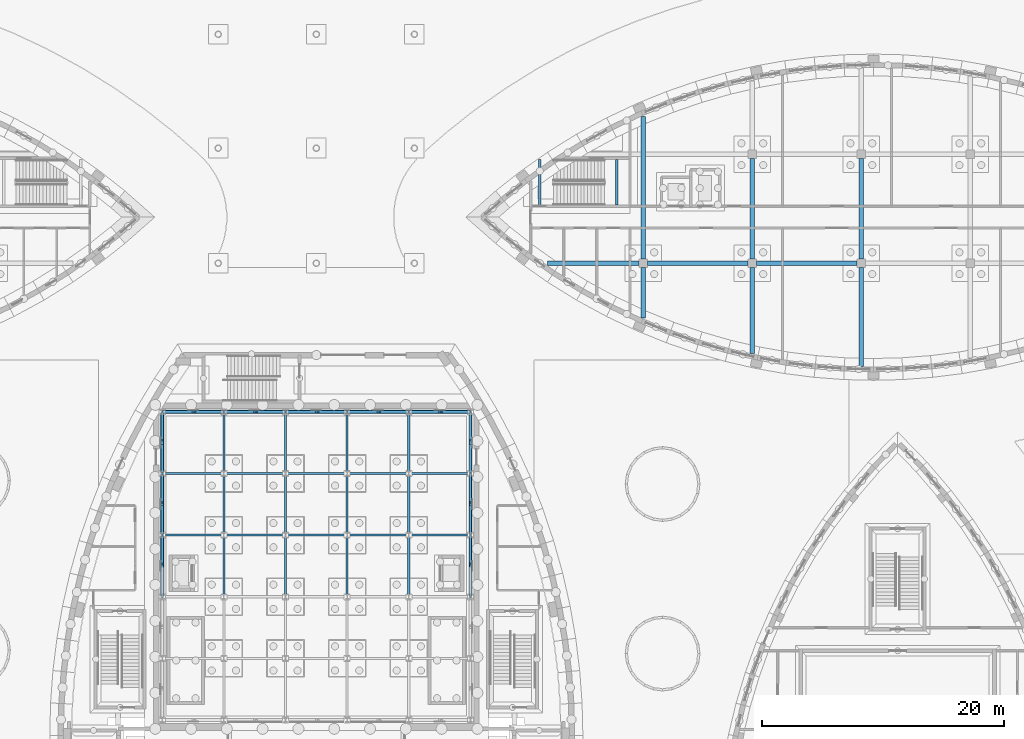
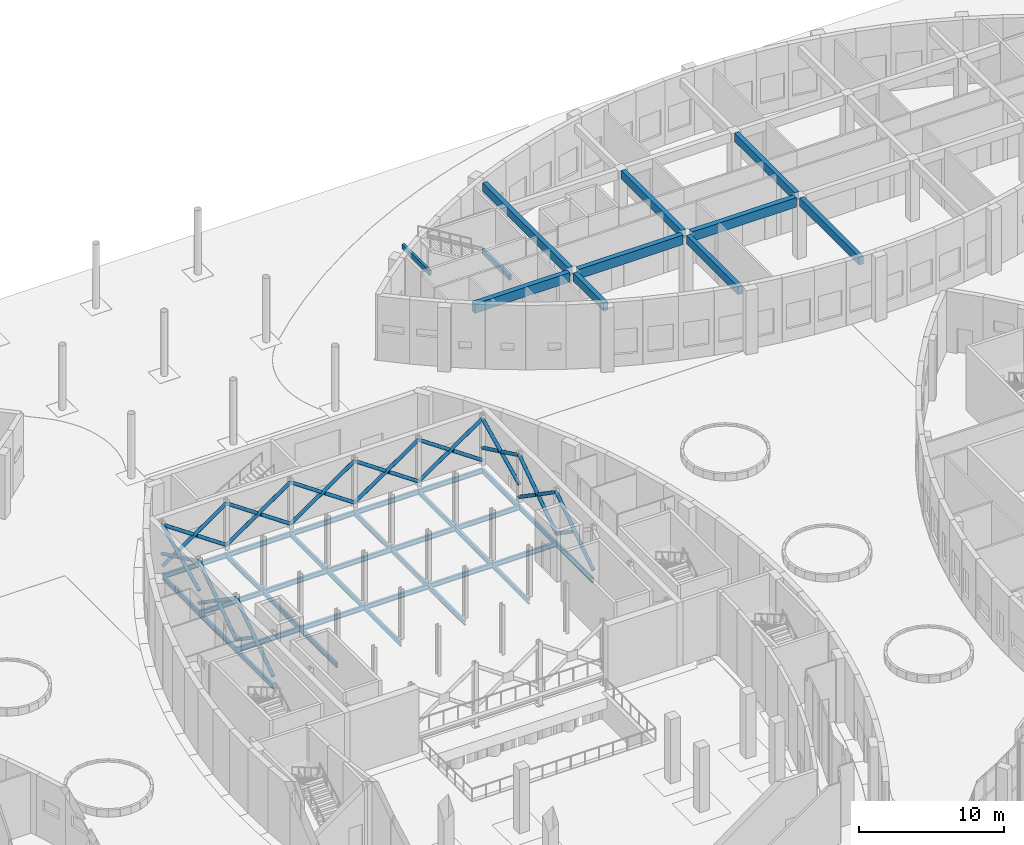
# One storey, part 26 of 82: 44 beams, 31 members.
"""IFC4 building model written with IfcOpenShell, lengths in metres."""

from ifc_helpers import new_model, si_unit, direction, frame, origin, origin_2d, place, context, subcontext, project, spatial, rectangle, hollow_circle, i_section, extrude, material, material_profile, profile_set, type_object, element, save


model = new_model("IFC4")

# Units and contexts
model_context = context("Model", 3, precision=1e-05, world=origin(), true_north=direction((0.0, 1.0)))
body_context = subcontext(model_context, "Body", "Model", "MODEL_VIEW")
ifc_project = project(units=[si_unit("LENGTHUNIT", "METRE"), si_unit("AREAUNIT", "SQUARE_METRE"), si_unit("VOLUMEUNIT", "CUBIC_METRE"), si_unit("PLANEANGLEUNIT", "RADIAN"), si_unit("MASSUNIT", "GRAM", prefix="KILO")], contexts=[model_context])

# Site, building, storey
site_placement = place(None, origin())
site = spatial("IfcSite", under=ifc_project, at=site_placement, CompositionType="ELEMENT")
building_placement = place(site_placement, origin())
building = spatial("IfcBuilding", under=site, at=building_placement, Name="Tide Square Theatres", CompositionType="ELEMENT")
storey_placement = place(building_placement, origin())
storey = spatial("IfcBuildingStorey", under=building, at=storey_placement, Name="L00", CompositionType="ELEMENT", Elevation=0.0)

# Beams
ifc_material_1 = material(Name="Concrete C35", Category="concrete")
ifc_material_profile_1 = material_profile(ifc_material_1, rectangle(XDim=0.199951171875, YDim=0.39990234375, at=origin_2d()))
ifc_profile_set_1 = profile_set([ifc_material_profile_1], Name="Concrete C35")
beam_type_1 = type_object("IfcBeamType", Name="RC beam 200 x 400", PredefinedType="BEAM", material=ifc_profile_set_1)
for number, where, z_axis, x_axis, name in (
    (1, (102.449951171875, 98.800048828125, 4.919921875), (0.0, 1.0, 0.0), (-1.0, 0.0, 0.0), "Rehearsal Block stair floor landing beam"),
    (2, (108.799560546875, 98.800048828125, 2.300048828125), (0.0, 1.0, 0.0), (-1.0, 0.0, 0.0), "Rehearsal Block stair landing beam"),
):
    element("IfcBeam", number, at=place(storey_placement, frame(where, z_axis=z_axis, x_axis=x_axis)), inside=storey, type_object=beam_type_1, Name=name, PredefinedType="BEAM", context=body_context, shape_type="SweptSolid", body=[
        extrude(rectangle(XDim=0.199951171875, YDim=0.39990234375, at=origin_2d()), origin(), (0.0, 0.0, 1.0), 3.75),
    ])
ifc_material_2 = material(Name="Concrete C35", Category="concrete")
ifc_material_profile_2 = material_profile(ifc_material_2, rectangle(XDim=0.35009765625, YDim=0.699951171875, at=origin_2d()))
ifc_profile_set_2 = profile_set([ifc_material_profile_2], Name="Concrete C35")
beam_type_2 = type_object("IfcBeamType", Name="RC beam 350 x 700", PredefinedType="BEAM", material=ifc_profile_set_2)
beam_1_placement = place(storey_placement, frame((111.0, 89.468994140625, 4.77001953125), z_axis=(0.0, 1.0, 0.0), x_axis=(-1.0, 0.0, 0.0)))
element("IfcBeam", 3, at=beam_1_placement, inside=storey, type_object=beam_type_2, Name="Rehearsal Block floor beam L01 12", PredefinedType="BEAM", context=body_context, shape_type="SweptSolid", body=[
    extrude(rectangle(XDim=0.35009765625, YDim=0.699951171875, at=origin_2d()), origin(), (0.0, 0.0, 1.0), 4.180908203125),
])
beam_2_placement = place(storey_placement, frame((111.0, 94.35009765625, 4.77001953125), z_axis=(0.0, 1.0, 0.0), x_axis=(-1.0, 0.0, 0.0)))
element("IfcBeam", 4, at=beam_2_placement, inside=storey, type_object=beam_type_2, Name="Rehearsal Block floor beam L01 13", PredefinedType="BEAM", context=body_context, shape_type="SweptSolid", body=[
    extrude(rectangle(XDim=0.35009765625, YDim=0.699951171875, at=origin_2d()), origin(), (0.0, 0.0, 1.0), 11.78076171875),
])
beam_3_placement = place(storey_placement, frame((120.0, 86.564208984375, 4.77001953125), z_axis=(0.0, 1.0, 0.0), x_axis=(-1.0, 0.0, 0.0)))
element("IfcBeam", 5, at=beam_3_placement, inside=storey, type_object=beam_type_2, Name="Rehearsal Block floor beam L01 14", PredefinedType="BEAM", context=body_context, shape_type="SweptSolid", body=[
    extrude(rectangle(XDim=0.35009765625, YDim=0.699951171875, at=origin_2d()), origin(), (0.0, 0.0, 1.0), 7.085693359375),
])
beam_4_placement = place(storey_placement, frame((120.0, 94.35009765625, 4.77001953125), z_axis=(0.0, 1.0, 0.0), x_axis=(-1.0, 0.0, 0.0)))
element("IfcBeam", 6, at=beam_4_placement, inside=storey, type_object=beam_type_2, Name="Rehearsal Block floor beam L01 15", PredefinedType="BEAM", context=body_context, shape_type="SweptSolid", body=[
    extrude(rectangle(XDim=0.35009765625, YDim=0.699951171875, at=origin_2d()), origin(), (0.0, 0.0, 1.0), 8.2998046875),
])
beam_5_placement = place(storey_placement, frame((129.0, 85.4765625, 4.77001953125), z_axis=(0.0, 1.0, 0.0), x_axis=(-1.0, 0.0, 0.0)))
element("IfcBeam", 7, at=beam_5_placement, inside=storey, type_object=beam_type_2, Name="Rehearsal Block floor beam L01 17", PredefinedType="BEAM", context=body_context, shape_type="SweptSolid", body=[
    extrude(rectangle(XDim=0.35009765625, YDim=0.699951171875, at=origin_2d()), origin(), (0.0, 0.0, 1.0), 8.17333984375),
])
beam_6_placement = place(storey_placement, frame((129.0, 94.35009765625, 4.77001953125), z_axis=(0.0, 1.0, 0.0), x_axis=(-1.0, 0.0, 0.0)))
element("IfcBeam", 8, at=beam_6_placement, inside=storey, type_object=beam_type_2, Name="Rehearsal Block floor beam L01 18", PredefinedType="BEAM", context=body_context, shape_type="SweptSolid", body=[
    extrude(rectangle(XDim=0.35009765625, YDim=0.699951171875, at=origin_2d()), origin(), (0.0, 0.0, 1.0), 8.2998046875),
])
ifc_material_3 = material(Name="Concrete C35", Category="concrete")
ifc_material_profile_3 = material_profile(ifc_material_3, rectangle(XDim=0.39990234375, YDim=0.800048828125, at=origin_2d()))
ifc_profile_set_3 = profile_set([ifc_material_profile_3], Name="Concrete C35")
beam_type_3 = type_object("IfcBeamType", Name="RC beam 400 x 800", PredefinedType="BEAM", material=ifc_profile_set_3)
beam_7_placement = place(storey_placement, frame((103.08837890625, 94.0, 4.719970703125), z_axis=(1.0, 0.0, 0.0), x_axis=(0.0, 1.0, 0.0)))
element("IfcBeam", 9, at=beam_7_placement, inside=storey, type_object=beam_type_3, Name="Rehearsal Block floor beam L01 1", PredefinedType="BEAM", context=body_context, shape_type="SweptSolid", body=[
    extrude(rectangle(XDim=0.39990234375, YDim=0.800048828125, at=origin_2d()), origin(), (0.0, 0.0, 1.0), 7.5615234375),
])
for number, where, z_axis, x_axis, name in (
    (10, (111.35009765625, 94.0, 4.719970703125), (1.0, 0.0, 0.0), (0.0, 1.0, 0.0), "Rehearsal Block floor beam L01 2"),
    (11, (120.35009765625, 94.0, 4.719970703125), (1.0, 0.0, 0.0), (0.0, 1.0, 0.0), "Rehearsal Block floor beam L01 3"),
):
    element("IfcBeam", number, at=place(storey_placement, frame(where, z_axis=z_axis, x_axis=x_axis)), inside=storey, type_object=beam_type_3, Name=name, PredefinedType="BEAM", context=body_context, shape_type="SweptSolid", body=[
        extrude(rectangle(XDim=0.39990234375, YDim=0.800048828125, at=origin_2d()), origin(), (0.0, 0.0, 1.0), 8.2998046875),
    ])
ifc_material_4 = material(Name="Steel ASTM A572 Grade 50", Category="steel")
ifc_material_profile_4 = material_profile(ifc_material_4, i_section(OverallWidth=0.177001953125, OverallDepth=0.403076171875, WebThickness=0.007568359375, FlangeThickness=0.010986328125, FilletRadius=0.011962890625, at=origin_2d()))
ifc_profile_set_4 = profile_set([ifc_material_profile_4], Name="Steel ASTM A572 Grade 50")
beam_type_4 = type_object("IfcBeamType", Name="Steel beam W 410 x 53.0", PredefinedType="BEAM", material=ifc_profile_set_4)
for number, where, z_axis, x_axis, name in (
    (12, (71.27587890625, 71.544921875, 0.698486328125), (1.0, 0.0, 0.0), (0.0, 1.0, 0.0), "Stage floor beam"),
    (13, (76.365478515625, 71.544921875, 0.698486328125), (1.0, 0.0, 0.0), (0.0, 1.0, 0.0), "Stage floor beam"),
):
    element("IfcBeam", number, at=place(storey_placement, frame(where, z_axis=z_axis, x_axis=x_axis)), inside=storey, type_object=beam_type_4, Name=name, PredefinedType="BEAM", context=body_context, shape_type="SweptSolid", body=[
        extrude(i_section(OverallWidth=0.177001953125, OverallDepth=0.403076171875, WebThickness=0.007568359375, FlangeThickness=0.010986328125, FilletRadius=0.011962890625, at=origin_2d()), origin(), (0.0, 0.0, 1.0), 5.089599609375),
    ])
beam_8_placement = place(storey_placement, frame((81.455078125, 71.544921875, 0.698486328125), z_axis=(1.0, 0.0, 0.0), x_axis=(0.0, 1.0, 0.0)))
element("IfcBeam", 14, at=beam_8_placement, inside=storey, type_object=beam_type_4, Name="Stage floor beam", PredefinedType="BEAM", context=body_context, shape_type="SweptSolid", body=[
    extrude(i_section(OverallWidth=0.177001953125, OverallDepth=0.403076171875, WebThickness=0.007568359375, FlangeThickness=0.010986328125, FilletRadius=0.011962890625, at=origin_2d()), origin(), (0.0, 0.0, 1.0), 5.08984375),
])
for number, where, z_axis, x_axis, name in (
    (15, (86.544921875, 71.544921875, 0.698486328125), (1.0, 0.0, 0.0), (0.0, 1.0, 0.0), "Stage floor beam"),
    (16, (91.634521484375, 71.544921875, 0.698486328125), (1.0, 0.0, 0.0), (0.0, 1.0, 0.0), "Stage floor beam"),
    (17, (71.27587890625, 76.634521484375, 0.698486328125), (1.0, 0.0, 0.0), (0.0, 1.0, 0.0), "Stage floor beam"),
    (18, (76.365478515625, 76.634521484375, 0.698486328125), (1.0, 0.0, 0.0), (0.0, 1.0, 0.0), "Stage floor beam"),
):
    element("IfcBeam", number, at=place(storey_placement, frame(where, z_axis=z_axis, x_axis=x_axis)), inside=storey, type_object=beam_type_4, Name=name, PredefinedType="BEAM", context=body_context, shape_type="SweptSolid", body=[
        extrude(i_section(OverallWidth=0.177001953125, OverallDepth=0.403076171875, WebThickness=0.007568359375, FlangeThickness=0.010986328125, FilletRadius=0.011962890625, at=origin_2d()), origin(), (0.0, 0.0, 1.0), 5.089599609375),
    ])
beam_9_placement = place(storey_placement, frame((81.455078125, 76.634521484375, 0.698486328125), z_axis=(1.0, 0.0, 0.0), x_axis=(0.0, 1.0, 0.0)))
element("IfcBeam", 19, at=beam_9_placement, inside=storey, type_object=beam_type_4, Name="Stage floor beam", PredefinedType="BEAM", context=body_context, shape_type="SweptSolid", body=[
    extrude(i_section(OverallWidth=0.177001953125, OverallDepth=0.403076171875, WebThickness=0.007568359375, FlangeThickness=0.010986328125, FilletRadius=0.011962890625, at=origin_2d()), origin(), (0.0, 0.0, 1.0), 5.08984375),
])
for number, where, z_axis, x_axis, name in (
    (20, (86.544921875, 76.634521484375, 0.698486328125), (1.0, 0.0, 0.0), (0.0, 1.0, 0.0), "Stage floor beam"),
    (21, (91.634521484375, 76.634521484375, 0.698486328125), (1.0, 0.0, 0.0), (0.0, 1.0, 0.0), "Stage floor beam"),
    (22, (71.27587890625, 81.72412109375, 0.698486328125), (1.0, 0.0, 0.0), (0.0, 1.0, 0.0), "Stage floor beam"),
    (23, (76.365478515625, 81.72412109375, 0.698486328125), (1.0, 0.0, 0.0), (0.0, 1.0, 0.0), "Stage floor beam"),
):
    element("IfcBeam", number, at=place(storey_placement, frame(where, z_axis=z_axis, x_axis=x_axis)), inside=storey, type_object=beam_type_4, Name=name, PredefinedType="BEAM", context=body_context, shape_type="SweptSolid", body=[
        extrude(i_section(OverallWidth=0.177001953125, OverallDepth=0.403076171875, WebThickness=0.007568359375, FlangeThickness=0.010986328125, FilletRadius=0.011962890625, at=origin_2d()), origin(), (0.0, 0.0, 1.0), 5.089599609375),
    ])
beam_10_placement = place(storey_placement, frame((81.455078125, 81.72412109375, 0.698486328125), z_axis=(1.0, 0.0, 0.0), x_axis=(0.0, 1.0, 0.0)))
element("IfcBeam", 24, at=beam_10_placement, inside=storey, type_object=beam_type_4, Name="Stage floor beam", PredefinedType="BEAM", context=body_context, shape_type="SweptSolid", body=[
    extrude(i_section(OverallWidth=0.177001953125, OverallDepth=0.403076171875, WebThickness=0.007568359375, FlangeThickness=0.010986328125, FilletRadius=0.011962890625, at=origin_2d()), origin(), (0.0, 0.0, 1.0), 5.08984375),
])
for number, where, z_axis, x_axis, name in (
    (25, (86.544921875, 81.72412109375, 0.698486328125), (1.0, 0.0, 0.0), (0.0, 1.0, 0.0), "Stage floor beam"),
    (26, (91.634521484375, 81.72412109375, 0.698486328125), (1.0, 0.0, 0.0), (0.0, 1.0, 0.0), "Stage floor beam"),
):
    element("IfcBeam", number, at=place(storey_placement, frame(where, z_axis=z_axis, x_axis=x_axis)), inside=storey, type_object=beam_type_4, Name=name, PredefinedType="BEAM", context=body_context, shape_type="SweptSolid", body=[
        extrude(i_section(OverallWidth=0.177001953125, OverallDepth=0.403076171875, WebThickness=0.007568359375, FlangeThickness=0.010986328125, FilletRadius=0.011962890625, at=origin_2d()), origin(), (0.0, 0.0, 1.0), 5.089599609375),
    ])
beam_11_placement = place(storey_placement, frame((71.27587890625, 66.455078125, 0.698486328125), z_axis=(0.0, 1.0, 0.0), x_axis=(-1.0, 0.0, 0.0)))
element("IfcBeam", 27, at=beam_11_placement, inside=storey, type_object=beam_type_4, Name="Stage floor beam", PredefinedType="BEAM", context=body_context, shape_type="SweptSolid", body=[
    extrude(i_section(OverallWidth=0.177001953125, OverallDepth=0.403076171875, WebThickness=0.007568359375, FlangeThickness=0.010986328125, FilletRadius=0.011962890625, at=origin_2d()), origin(), (0.0, 0.0, 1.0), 5.08984375),
])
for number, where, z_axis, x_axis, name in (
    (28, (71.27587890625, 71.544921875, 0.698486328125), (0.0, 1.0, 0.0), (-1.0, 0.0, 0.0), "Stage floor beam"),
    (29, (71.27587890625, 76.634521484375, 0.698486328125), (0.0, 1.0, 0.0), (-1.0, 0.0, 0.0), "Stage floor beam"),
):
    element("IfcBeam", number, at=place(storey_placement, frame(where, z_axis=z_axis, x_axis=x_axis)), inside=storey, type_object=beam_type_4, Name=name, PredefinedType="BEAM", context=body_context, shape_type="SweptSolid", body=[
        extrude(i_section(OverallWidth=0.177001953125, OverallDepth=0.403076171875, WebThickness=0.007568359375, FlangeThickness=0.010986328125, FilletRadius=0.011962890625, at=origin_2d()), origin(), (0.0, 0.0, 1.0), 5.089599609375),
    ])
beam_12_placement = place(storey_placement, frame((76.365478515625, 66.455078125, 0.698486328125), z_axis=(0.0, 1.0, 0.0), x_axis=(-1.0, 0.0, 0.0)))
element("IfcBeam", 30, at=beam_12_placement, inside=storey, type_object=beam_type_4, Name="Stage floor beam", PredefinedType="BEAM", context=body_context, shape_type="SweptSolid", body=[
    extrude(i_section(OverallWidth=0.177001953125, OverallDepth=0.403076171875, WebThickness=0.007568359375, FlangeThickness=0.010986328125, FilletRadius=0.011962890625, at=origin_2d()), origin(), (0.0, 0.0, 1.0), 5.08984375),
])
for number, where, z_axis, x_axis, name in (
    (31, (76.365478515625, 71.544921875, 0.698486328125), (0.0, 1.0, 0.0), (-1.0, 0.0, 0.0), "Stage floor beam"),
    (32, (76.365478515625, 76.634521484375, 0.698486328125), (0.0, 1.0, 0.0), (-1.0, 0.0, 0.0), "Stage floor beam"),
):
    element("IfcBeam", number, at=place(storey_placement, frame(where, z_axis=z_axis, x_axis=x_axis)), inside=storey, type_object=beam_type_4, Name=name, PredefinedType="BEAM", context=body_context, shape_type="SweptSolid", body=[
        extrude(i_section(OverallWidth=0.177001953125, OverallDepth=0.403076171875, WebThickness=0.007568359375, FlangeThickness=0.010986328125, FilletRadius=0.011962890625, at=origin_2d()), origin(), (0.0, 0.0, 1.0), 5.089599609375),
    ])
beam_13_placement = place(storey_placement, frame((81.455078125, 66.455078125, 0.698486328125), z_axis=(0.0, 1.0, 0.0), x_axis=(-1.0, 0.0, 0.0)))
element("IfcBeam", 33, at=beam_13_placement, inside=storey, type_object=beam_type_4, Name="Stage floor beam", PredefinedType="BEAM", context=body_context, shape_type="SweptSolid", body=[
    extrude(i_section(OverallWidth=0.177001953125, OverallDepth=0.403076171875, WebThickness=0.007568359375, FlangeThickness=0.010986328125, FilletRadius=0.011962890625, at=origin_2d()), origin(), (0.0, 0.0, 1.0), 5.08984375),
])
for number, where, z_axis, x_axis, name in (
    (34, (81.455078125, 71.544921875, 0.698486328125), (0.0, 1.0, 0.0), (-1.0, 0.0, 0.0), "Stage floor beam"),
    (35, (81.455078125, 76.634521484375, 0.698486328125), (0.0, 1.0, 0.0), (-1.0, 0.0, 0.0), "Stage floor beam"),
):
    element("IfcBeam", number, at=place(storey_placement, frame(where, z_axis=z_axis, x_axis=x_axis)), inside=storey, type_object=beam_type_4, Name=name, PredefinedType="BEAM", context=body_context, shape_type="SweptSolid", body=[
        extrude(i_section(OverallWidth=0.177001953125, OverallDepth=0.403076171875, WebThickness=0.007568359375, FlangeThickness=0.010986328125, FilletRadius=0.011962890625, at=origin_2d()), origin(), (0.0, 0.0, 1.0), 5.089599609375),
    ])
beam_14_placement = place(storey_placement, frame((86.544921875, 66.455078125, 0.698486328125), z_axis=(0.0, 1.0, 0.0), x_axis=(-1.0, 0.0, 0.0)))
element("IfcBeam", 36, at=beam_14_placement, inside=storey, type_object=beam_type_4, Name="Stage floor beam", PredefinedType="BEAM", context=body_context, shape_type="SweptSolid", body=[
    extrude(i_section(OverallWidth=0.177001953125, OverallDepth=0.403076171875, WebThickness=0.007568359375, FlangeThickness=0.010986328125, FilletRadius=0.011962890625, at=origin_2d()), origin(), (0.0, 0.0, 1.0), 5.08984375),
])
for number, where, z_axis, x_axis, name in (
    (37, (86.544921875, 71.544921875, 0.698486328125), (0.0, 1.0, 0.0), (-1.0, 0.0, 0.0), "Stage floor beam"),
    (38, (86.544921875, 76.634521484375, 0.698486328125), (0.0, 1.0, 0.0), (-1.0, 0.0, 0.0), "Stage floor beam"),
):
    element("IfcBeam", number, at=place(storey_placement, frame(where, z_axis=z_axis, x_axis=x_axis)), inside=storey, type_object=beam_type_4, Name=name, PredefinedType="BEAM", context=body_context, shape_type="SweptSolid", body=[
        extrude(i_section(OverallWidth=0.177001953125, OverallDepth=0.403076171875, WebThickness=0.007568359375, FlangeThickness=0.010986328125, FilletRadius=0.011962890625, at=origin_2d()), origin(), (0.0, 0.0, 1.0), 5.089599609375),
    ])
beam_15_placement = place(storey_placement, frame((91.634521484375, 66.455078125, 0.698486328125), z_axis=(0.0, 1.0, 0.0), x_axis=(-1.0, 0.0, 0.0)))
element("IfcBeam", 39, at=beam_15_placement, inside=storey, type_object=beam_type_4, Name="Stage floor beam", PredefinedType="BEAM", context=body_context, shape_type="SweptSolid", body=[
    extrude(i_section(OverallWidth=0.177001953125, OverallDepth=0.403076171875, WebThickness=0.007568359375, FlangeThickness=0.010986328125, FilletRadius=0.011962890625, at=origin_2d()), origin(), (0.0, 0.0, 1.0), 5.08984375),
])
for number, where, z_axis, x_axis, name in (
    (40, (91.634521484375, 71.544921875, 0.698486328125), (0.0, 1.0, 0.0), (-1.0, 0.0, 0.0), "Stage floor beam"),
    (41, (91.634521484375, 76.634521484375, 0.698486328125), (0.0, 1.0, 0.0), (-1.0, 0.0, 0.0), "Stage floor beam"),
):
    element("IfcBeam", number, at=place(storey_placement, frame(where, z_axis=z_axis, x_axis=x_axis)), inside=storey, type_object=beam_type_4, Name=name, PredefinedType="BEAM", context=body_context, shape_type="SweptSolid", body=[
        extrude(i_section(OverallWidth=0.177001953125, OverallDepth=0.403076171875, WebThickness=0.007568359375, FlangeThickness=0.010986328125, FilletRadius=0.011962890625, at=origin_2d()), origin(), (0.0, 0.0, 1.0), 5.089599609375),
    ])
beam_16_placement = place(storey_placement, frame((96.72412109375, 66.455078125, 0.698486328125), z_axis=(0.0, 1.0, 0.0), x_axis=(-1.0, 0.0, 0.0)))
element("IfcBeam", 42, at=beam_16_placement, inside=storey, type_object=beam_type_4, Name="Stage floor beam", PredefinedType="BEAM", context=body_context, shape_type="SweptSolid", body=[
    extrude(i_section(OverallWidth=0.177001953125, OverallDepth=0.403076171875, WebThickness=0.007568359375, FlangeThickness=0.010986328125, FilletRadius=0.011962890625, at=origin_2d()), origin(), (0.0, 0.0, 1.0), 5.08984375),
])
for number, where, z_axis, x_axis, name in (
    (43, (96.72412109375, 71.544921875, 0.698486328125), (0.0, 1.0, 0.0), (-1.0, 0.0, 0.0), "Stage floor beam"),
    (44, (96.72412109375, 76.634521484375, 0.698486328125), (0.0, 1.0, 0.0), (-1.0, 0.0, 0.0), "Stage floor beam"),
):
    element("IfcBeam", number, at=place(storey_placement, frame(where, z_axis=z_axis, x_axis=x_axis)), inside=storey, type_object=beam_type_4, Name=name, PredefinedType="BEAM", context=body_context, shape_type="SweptSolid", body=[
        extrude(i_section(OverallWidth=0.177001953125, OverallDepth=0.403076171875, WebThickness=0.007568359375, FlangeThickness=0.010986328125, FilletRadius=0.011962890625, at=origin_2d()), origin(), (0.0, 0.0, 1.0), 5.089599609375),
    ])

# Members
ifc_material_5 = material(Name="Steel ASTM A500 Grade C", Category="steel")
ifc_material_profile_5 = material_profile(ifc_material_5, hollow_circle(Radius=0.136474609375, WallThickness=0.012451171875, at=origin_2d()))
ifc_profile_set_5 = profile_set([ifc_material_profile_5], Name="Steel ASTM A500 Grade C")
member_type = type_object("IfcMemberType", Name="Steel brace CHS 273.0 x 12.5", PredefinedType="BRACE", material=ifc_profile_set_5)
member_1_placement = place(storey_placement, frame((71.27587890625, 81.72412109375, 1.550048828125), z_axis=(0.823973876859, 0.0, 0.566627788106), x_axis=(0.0, 1.0, 0.0)))
element("IfcMember", 45, at=member_1_placement, inside=storey, type_object=member_type, Name="Fly tower brace", PredefinedType="BRACE", context=body_context, shape_type="SweptSolid", body=[
    extrude(hollow_circle(Radius=0.136474609375, WallThickness=0.012451171875, at=origin_2d()), origin(), (0.0, 0.0, 1.0), 6.177001953125),
])
member_2_placement = place(storey_placement, frame((76.365478515625, 81.72412109375, 1.550048828125), z_axis=(-0.823960869404, 0.0, 0.56664670271), x_axis=(0.0, -1.0, 0.0)))
element("IfcMember", 46, at=member_2_placement, inside=storey, type_object=member_type, Name="Fly tower brace", PredefinedType="BRACE", context=body_context, shape_type="SweptSolid", body=[
    extrude(hollow_circle(Radius=0.136474609375, WallThickness=0.012451171875, at=origin_2d()), origin(), (0.0, 0.0, 1.0), 2.900390625),
])
member_3_placement = place(storey_placement, frame((73.666015625, 81.72412109375, 3.406494140625), z_axis=(-0.82398789329, 0.0, 0.566607405274), x_axis=(0.0, -1.0, 0.0)))
element("IfcMember", 47, at=member_3_placement, inside=storey, type_object=member_type, Name="Fly tower brace", PredefinedType="BRACE", context=body_context, shape_type="SweptSolid", body=[
    extrude(hollow_circle(Radius=0.136474609375, WallThickness=0.012451171875, at=origin_2d()), origin(), (0.0, 0.0, 1.0), 2.900634765625),
])
member_4_placement = place(storey_placement, frame((76.365478515625, 81.72412109375, 1.550048828125), z_axis=(0.823973876859, 0.0, 0.566627788106), x_axis=(0.0, 1.0, 0.0)))
element("IfcMember", 48, at=member_4_placement, inside=storey, type_object=member_type, Name="Fly tower brace", PredefinedType="BRACE", context=body_context, shape_type="SweptSolid", body=[
    extrude(hollow_circle(Radius=0.136474609375, WallThickness=0.012451171875, at=origin_2d()), origin(), (0.0, 0.0, 1.0), 6.177001953125),
])
member_5_placement = place(storey_placement, frame((81.455078125, 81.72412109375, 1.550048828125), z_axis=(-0.823960869404, 0.0, 0.56664670271), x_axis=(0.0, -1.0, 0.0)))
element("IfcMember", 49, at=member_5_placement, inside=storey, type_object=member_type, Name="Fly tower brace", PredefinedType="BRACE", context=body_context, shape_type="SweptSolid", body=[
    extrude(hollow_circle(Radius=0.136474609375, WallThickness=0.012451171875, at=origin_2d()), origin(), (0.0, 0.0, 1.0), 2.900390625),
])
member_6_placement = place(storey_placement, frame((78.755615234375, 81.72412109375, 3.406494140625), z_axis=(-0.82398789329, 0.0, 0.566607405274), x_axis=(0.0, -1.0, 0.0)))
element("IfcMember", 50, at=member_6_placement, inside=storey, type_object=member_type, Name="Fly tower brace", PredefinedType="BRACE", context=body_context, shape_type="SweptSolid", body=[
    extrude(hollow_circle(Radius=0.136474609375, WallThickness=0.012451171875, at=origin_2d()), origin(), (0.0, 0.0, 1.0), 2.900634765625),
])
member_7_placement = place(storey_placement, frame((81.455078125, 81.72412109375, 1.550048828125), z_axis=(0.823986566356, 0.0, 0.566609334961), x_axis=(0.0, 1.0, 0.0)))
element("IfcMember", 51, at=member_7_placement, inside=storey, type_object=member_type, Name="Fly tower brace", PredefinedType="BRACE", context=body_context, shape_type="SweptSolid", body=[
    extrude(hollow_circle(Radius=0.136474609375, WallThickness=0.012451171875, at=origin_2d()), origin(), (0.0, 0.0, 1.0), 6.177001953125),
])
for number, where, z_axis, x_axis, name in (
    (52, (86.544921875, 81.72412109375, 1.550048828125), (-0.82398789329, 0.0, 0.566607405274), (0.0, -1.0, 0.0), "Fly tower brace"),
    (53, (83.84521484375, 81.72412109375, 3.406494140625), (-0.82398789329, 0.0, 0.566607405274), (0.0, -1.0, 0.0), "Fly tower brace"),
):
    element("IfcMember", number, at=place(storey_placement, frame(where, z_axis=z_axis, x_axis=x_axis)), inside=storey, type_object=member_type, Name=name, PredefinedType="BRACE", context=body_context, shape_type="SweptSolid", body=[
        extrude(hollow_circle(Radius=0.136474609375, WallThickness=0.012451171875, at=origin_2d()), origin(), (0.0, 0.0, 1.0), 2.900634765625),
    ])
member_8_placement = place(storey_placement, frame((86.544921875, 81.72412109375, 1.550048828125), z_axis=(0.823973876859, 0.0, 0.566627788106), x_axis=(0.0, 1.0, 0.0)))
element("IfcMember", 54, at=member_8_placement, inside=storey, type_object=member_type, Name="Fly tower brace", PredefinedType="BRACE", context=body_context, shape_type="SweptSolid", body=[
    extrude(hollow_circle(Radius=0.136474609375, WallThickness=0.012451171875, at=origin_2d()), origin(), (0.0, 0.0, 1.0), 6.177001953125),
])
member_9_placement = place(storey_placement, frame((91.634521484375, 81.72412109375, 1.550048828125), z_axis=(-0.82398789329, 0.0, 0.566607405274), x_axis=(0.0, -1.0, 0.0)))
element("IfcMember", 55, at=member_9_placement, inside=storey, type_object=member_type, Name="Fly tower brace", PredefinedType="BRACE", context=body_context, shape_type="SweptSolid", body=[
    extrude(hollow_circle(Radius=0.136474609375, WallThickness=0.012451171875, at=origin_2d()), origin(), (0.0, 0.0, 1.0), 2.900634765625),
])
member_10_placement = place(storey_placement, frame((88.934814453125, 81.72412109375, 3.406494140625), z_axis=(-0.823960869404, 0.0, 0.56664670271), x_axis=(0.0, -1.0, 0.0)))
element("IfcMember", 56, at=member_10_placement, inside=storey, type_object=member_type, Name="Fly tower brace", PredefinedType="BRACE", context=body_context, shape_type="SweptSolid", body=[
    extrude(hollow_circle(Radius=0.136474609375, WallThickness=0.012451171875, at=origin_2d()), origin(), (0.0, 0.0, 1.0), 2.900390625),
])
member_11_placement = place(storey_placement, frame((91.634521484375, 81.72412109375, 1.550048828125), z_axis=(0.823973876859, 0.0, 0.566627788106), x_axis=(0.0, 1.0, 0.0)))
element("IfcMember", 57, at=member_11_placement, inside=storey, type_object=member_type, Name="Fly tower brace", PredefinedType="BRACE", context=body_context, shape_type="SweptSolid", body=[
    extrude(hollow_circle(Radius=0.136474609375, WallThickness=0.012451171875, at=origin_2d()), origin(), (0.0, 0.0, 1.0), 6.177001953125),
])
member_12_placement = place(storey_placement, frame((96.72412109375, 81.72412109375, 1.550048828125), z_axis=(-0.82398789329, 0.0, 0.566607405274), x_axis=(0.0, -1.0, 0.0)))
element("IfcMember", 58, at=member_12_placement, inside=storey, type_object=member_type, Name="Fly tower brace", PredefinedType="BRACE", context=body_context, shape_type="SweptSolid", body=[
    extrude(hollow_circle(Radius=0.136474609375, WallThickness=0.012451171875, at=origin_2d()), origin(), (0.0, 0.0, 1.0), 2.900634765625),
])
member_13_placement = place(storey_placement, frame((94.0244140625, 81.72412109375, 3.406494140625), z_axis=(-0.823960869404, 0.0, 0.56664670271), x_axis=(0.0, -1.0, 0.0)))
element("IfcMember", 59, at=member_13_placement, inside=storey, type_object=member_type, Name="Fly tower brace", PredefinedType="BRACE", context=body_context, shape_type="SweptSolid", body=[
    extrude(hollow_circle(Radius=0.136474609375, WallThickness=0.012451171875, at=origin_2d()), origin(), (0.0, 0.0, 1.0), 2.900390625),
])
member_14_placement = place(storey_placement, frame((71.27587890625, 66.455078125, 1.550048828125), z_axis=(0.0, 0.823986566356, 0.566609334961), x_axis=(-1.0, 0.0, 0.0)))
element("IfcMember", 60, at=member_14_placement, inside=storey, type_object=member_type, Name="Fly tower brace", PredefinedType="BRACE", context=body_context, shape_type="SweptSolid", body=[
    extrude(hollow_circle(Radius=0.136474609375, WallThickness=0.012451171875, at=origin_2d()), origin(), (0.0, 0.0, 1.0), 6.177001953125),
])
member_15_placement = place(storey_placement, frame((71.27587890625, 71.544921875, 1.550048828125), z_axis=(0.0, -0.82398789329, 0.566607405274), x_axis=(1.0, 0.0, 0.0)))
element("IfcMember", 61, at=member_15_placement, inside=storey, type_object=member_type, Name="Fly tower brace", PredefinedType="BRACE", context=body_context, shape_type="SweptSolid", body=[
    extrude(hollow_circle(Radius=0.136474609375, WallThickness=0.012451171875, at=origin_2d()), origin(), (0.0, 0.0, 1.0), 2.900634765625),
])
member_16_placement = place(storey_placement, frame((71.27587890625, 71.544921875, 1.550048828125), z_axis=(0.0, 0.823973876859, 0.566627788106), x_axis=(-1.0, 0.0, 0.0)))
element("IfcMember", 62, at=member_16_placement, inside=storey, type_object=member_type, Name="Fly tower brace", PredefinedType="BRACE", context=body_context, shape_type="SweptSolid", body=[
    extrude(hollow_circle(Radius=0.136474609375, WallThickness=0.012451171875, at=origin_2d()), origin(), (0.0, 0.0, 1.0), 6.177001953125),
])
member_17_placement = place(storey_placement, frame((71.27587890625, 76.634521484375, 1.550048828125), z_axis=(0.0, -0.82398789329, 0.566607405274), x_axis=(1.0, 0.0, 0.0)))
element("IfcMember", 63, at=member_17_placement, inside=storey, type_object=member_type, Name="Fly tower brace", PredefinedType="BRACE", context=body_context, shape_type="SweptSolid", body=[
    extrude(hollow_circle(Radius=0.136474609375, WallThickness=0.012451171875, at=origin_2d()), origin(), (0.0, 0.0, 1.0), 2.900634765625),
])
member_18_placement = place(storey_placement, frame((71.27587890625, 73.934814453125, 3.406494140625), z_axis=(0.0, -0.823960869404, 0.56664670271), x_axis=(1.0, 0.0, 0.0)))
element("IfcMember", 64, at=member_18_placement, inside=storey, type_object=member_type, Name="Fly tower brace", PredefinedType="BRACE", context=body_context, shape_type="SweptSolid", body=[
    extrude(hollow_circle(Radius=0.136474609375, WallThickness=0.012451171875, at=origin_2d()), origin(), (0.0, 0.0, 1.0), 2.900390625),
])
member_19_placement = place(storey_placement, frame((71.27587890625, 76.634521484375, 2.60009765625), z_axis=(0.0, 0.901042962142, 0.433729847225), x_axis=(-1.0, 0.0, 0.0)))
element("IfcMember", 65, at=member_19_placement, inside=storey, type_object=member_type, Name="Fly tower brace", PredefinedType="BRACE", context=body_context, shape_type="SweptSolid", body=[
    extrude(hollow_circle(Radius=0.136474609375, WallThickness=0.012451171875, at=origin_2d()), origin(), (0.0, 0.0, 1.0), 5.648681640625),
])
for number, where, z_axis, x_axis, name in (
    (66, (71.27587890625, 81.72412109375, 2.60009765625), (0.0, -0.901053350505, 0.433708265478), (1.0, 0.0, 0.0), "Fly tower brace"),
    (67, (71.27587890625, 78.9755859375, 3.9228515625), (0.0, -0.900998949246, 0.433821269024), (1.0, 0.0, 0.0), "Fly tower brace"),
):
    element("IfcMember", number, at=place(storey_placement, frame(where, z_axis=z_axis, x_axis=x_axis)), inside=storey, type_object=member_type, Name=name, PredefinedType="BRACE", context=body_context, shape_type="SweptSolid", body=[
        extrude(hollow_circle(Radius=0.136474609375, WallThickness=0.012451171875, at=origin_2d()), origin(), (0.0, 0.0, 1.0), 2.598388671875),
    ])
member_20_placement = place(storey_placement, frame((96.72412109375, 66.455078125, 1.550048828125), z_axis=(0.0, 0.823986566356, 0.566609334961), x_axis=(-1.0, 0.0, 0.0)))
element("IfcMember", 68, at=member_20_placement, inside=storey, type_object=member_type, Name="Fly tower brace", PredefinedType="BRACE", context=body_context, shape_type="SweptSolid", body=[
    extrude(hollow_circle(Radius=0.136474609375, WallThickness=0.012451171875, at=origin_2d()), origin(), (0.0, 0.0, 1.0), 6.177001953125),
])
member_21_placement = place(storey_placement, frame((96.72412109375, 71.544921875, 1.550048828125), z_axis=(0.0, -0.82398789329, 0.566607405274), x_axis=(1.0, 0.0, 0.0)))
element("IfcMember", 69, at=member_21_placement, inside=storey, type_object=member_type, Name="Fly tower brace", PredefinedType="BRACE", context=body_context, shape_type="SweptSolid", body=[
    extrude(hollow_circle(Radius=0.136474609375, WallThickness=0.012451171875, at=origin_2d()), origin(), (0.0, 0.0, 1.0), 2.900634765625),
])
member_22_placement = place(storey_placement, frame((96.72412109375, 71.544921875, 1.550048828125), z_axis=(0.0, 0.823973876859, 0.566627788106), x_axis=(-1.0, 0.0, 0.0)))
element("IfcMember", 70, at=member_22_placement, inside=storey, type_object=member_type, Name="Fly tower brace", PredefinedType="BRACE", context=body_context, shape_type="SweptSolid", body=[
    extrude(hollow_circle(Radius=0.136474609375, WallThickness=0.012451171875, at=origin_2d()), origin(), (0.0, 0.0, 1.0), 6.177001953125),
])
member_23_placement = place(storey_placement, frame((96.72412109375, 76.634521484375, 1.550048828125), z_axis=(0.0, -0.82398789329, 0.566607405274), x_axis=(1.0, 0.0, 0.0)))
element("IfcMember", 71, at=member_23_placement, inside=storey, type_object=member_type, Name="Fly tower brace", PredefinedType="BRACE", context=body_context, shape_type="SweptSolid", body=[
    extrude(hollow_circle(Radius=0.136474609375, WallThickness=0.012451171875, at=origin_2d()), origin(), (0.0, 0.0, 1.0), 2.900634765625),
])
member_24_placement = place(storey_placement, frame((96.72412109375, 73.934814453125, 3.406494140625), z_axis=(0.0, -0.823960869404, 0.56664670271), x_axis=(1.0, 0.0, 0.0)))
element("IfcMember", 72, at=member_24_placement, inside=storey, type_object=member_type, Name="Fly tower brace", PredefinedType="BRACE", context=body_context, shape_type="SweptSolid", body=[
    extrude(hollow_circle(Radius=0.136474609375, WallThickness=0.012451171875, at=origin_2d()), origin(), (0.0, 0.0, 1.0), 2.900390625),
])
member_25_placement = place(storey_placement, frame((96.72412109375, 76.634521484375, 2.60009765625), z_axis=(0.0, 0.901042962142, 0.433729847225), x_axis=(-1.0, 0.0, 0.0)))
element("IfcMember", 73, at=member_25_placement, inside=storey, type_object=member_type, Name="Fly tower brace", PredefinedType="BRACE", context=body_context, shape_type="SweptSolid", body=[
    extrude(hollow_circle(Radius=0.136474609375, WallThickness=0.012451171875, at=origin_2d()), origin(), (0.0, 0.0, 1.0), 5.648681640625),
])
for number, where, z_axis, x_axis, name in (
    (74, (96.72412109375, 81.72412109375, 2.60009765625), (0.0, -0.901053350505, 0.433708265478), (1.0, 0.0, 0.0), "Fly tower brace"),
    (75, (96.72412109375, 78.9755859375, 3.9228515625), (0.0, -0.900998949246, 0.433821269024), (1.0, 0.0, 0.0), "Fly tower brace"),
):
    element("IfcMember", number, at=place(storey_placement, frame(where, z_axis=z_axis, x_axis=x_axis)), inside=storey, type_object=member_type, Name=name, PredefinedType="BRACE", context=body_context, shape_type="SweptSolid", body=[
        extrude(hollow_circle(Radius=0.136474609375, WallThickness=0.012451171875, at=origin_2d()), origin(), (0.0, 0.0, 1.0), 2.598388671875),
    ])

save(model, "model.ifc")
